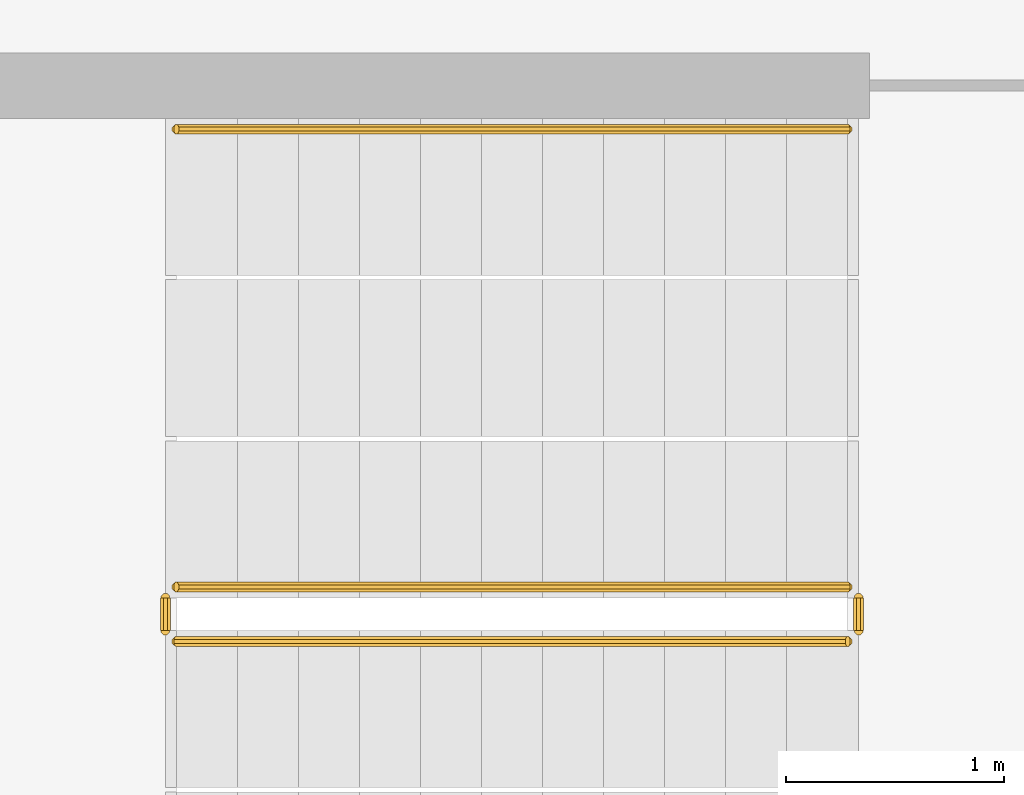
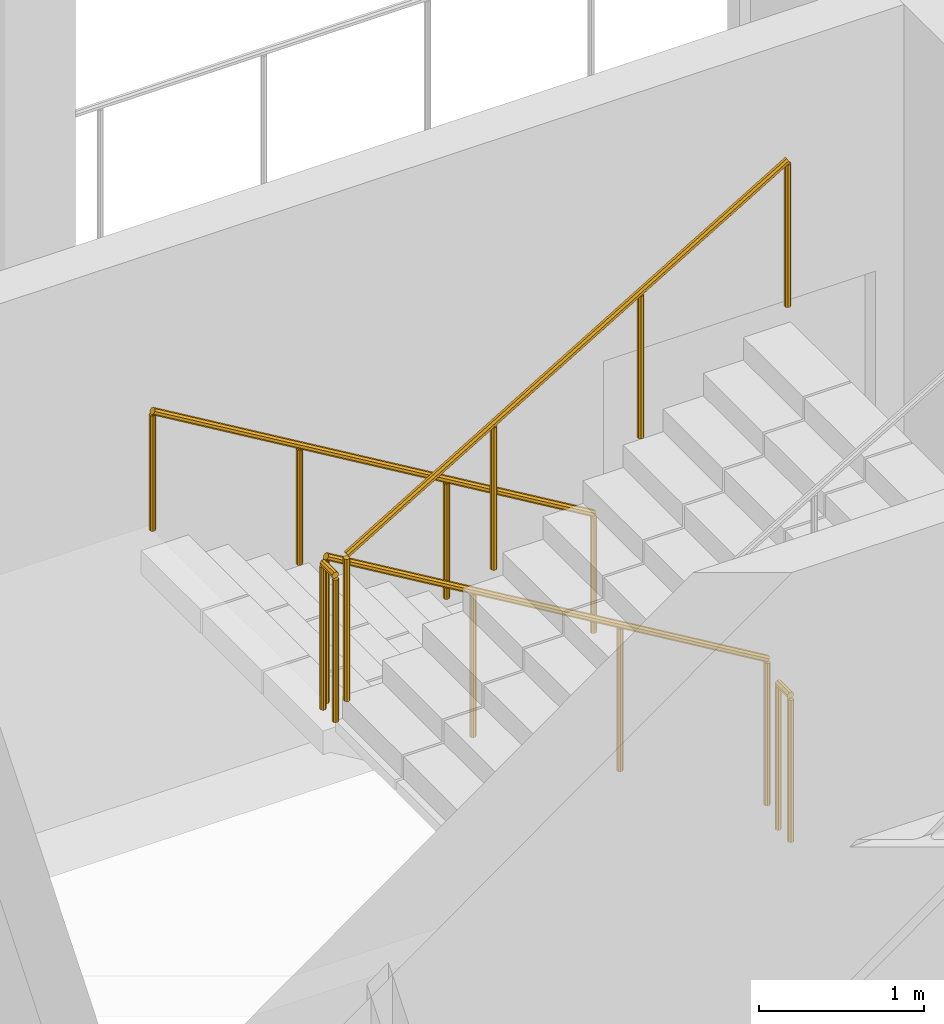
# One storey, part 20 of 28: 5 railings.
"""IFC4 building model written with IfcOpenShell, lengths in metres."""

from ifc_helpers import new_model, si_unit, direction, frame, origin, place, context, subcontext, project, spatial, polyline, outline, extrude, material, type_object, element, save


model = new_model("IFC4")

# Units and contexts
model_context = context("Model", 3, precision=1e-05, world=origin(), true_north=direction((0.0, 1.0)))
body_context = subcontext(model_context, "Body", "Model", "MODEL_VIEW")
ifc_project = project(units=[si_unit("LENGTHUNIT", "METRE"), si_unit("AREAUNIT", "SQUARE_METRE"), si_unit("VOLUMEUNIT", "CUBIC_METRE"), si_unit("PLANEANGLEUNIT", "RADIAN"), si_unit("MASSUNIT", "GRAM", prefix="KILO")], contexts=[model_context])

# Site, building, storey
site_placement = place(None, origin())
site = spatial("IfcSite", under=ifc_project, at=site_placement, CompositionType="ELEMENT")
building_placement = place(site_placement, origin())
building = spatial("IfcBuilding", under=site, at=building_placement, Name="Cormorant Relay Tower", CompositionType="ELEMENT")
storey_placement = place(building_placement, frame((0.0, 0.0, 122.199951171875)))
storey = spatial("IfcBuildingStorey", under=building, at=storey_placement, Name="L24", CompositionType="ELEMENT", Elevation=122.199951171875)

# Railings
ifc_material_1 = material(Name="Steel ASTM A572 Grade 50 (Fy 345 MPa)", Category="steel")
railing_type_1 = type_object("IfcRailingType", Name="Stair guard 1100", PredefinedType="GUARDRAIL", material=ifc_material_1)
railing_1_placement = place(storey_placement, frame((1.60009765625, -18.27490234375, 0.166748046875)))
element("IfcRailing", 1, at=railing_1_placement, inside=storey, type_object=railing_type_1, Name="L24 RK1 stair guard 1", PredefinedType="GUARDRAIL", context=body_context, shape_type="SweptSolid", body=[
    extrude(outline(polyline([(0.022216796875, 0.00927734375), (0.00927734375, 0.022216796875), (-0.00927734375, 0.022216796875), (-0.022216796875, 0.00927734375), (-0.022216796875, -0.00927734375), (-0.00927734375, -0.022216796875), (0.00927734375, -0.022216796875), (0.022216796875, -0.00927734375), (0.022216796875, 0.00927734375)])), frame((0.0, 0.0, 1.076171875), z_axis=(-0.859308565015, 0.0, 0.511457515432), x_axis=(0.0, -1.0, 0.0)), (0.0, 0.0, 1.0), 3.58447265625),
    extrude(outline(polyline([(0.019287109375, 0.008056640625), (0.008056640625, 0.019287109375), (-0.008056640625, 0.019287109375), (-0.019287109375, 0.008056640625), (-0.019287109375, -0.008056640625), (-0.008056640625, -0.019287109375), (0.008056640625, -0.019287109375), (0.019287109375, -0.008056640625), (0.019287109375, 0.008056640625)])), origin(), (0.0, 0.0, 1.0), 1.052001953125),
    extrude(outline(polyline([(0.019287109375, 0.008056640625), (0.008056640625, 0.019287109375), (-0.008056640625, 0.019287109375), (-0.019287109375, 0.008056640625), (-0.019287109375, -0.008056640625), (-0.008056640625, -0.019287109375), (0.008056640625, -0.019287109375), (0.019287109375, -0.008056640625), (0.019287109375, 0.008056640625)])), frame((-1.026611328125, 0.0, 0.611083984375)), (0.0, 0.0, 1.0), 1.052001953125),
    extrude(outline(polyline([(0.019287109375, 0.008056640625), (0.008056640625, 0.019287109375), (-0.008056640625, 0.019287109375), (-0.019287109375, 0.008056640625), (-0.019287109375, -0.008056640625), (-0.008056640625, -0.019287109375), (0.008056640625, -0.019287109375), (0.019287109375, -0.008056640625), (0.019287109375, 0.008056640625)])), frame((-2.053466796875, 0.0, 1.22216796875)), (0.0, 0.0, 1.0), 1.052001953125),
    extrude(outline(polyline([(0.019287109375, 0.008056640625), (0.008056640625, 0.019287109375), (-0.008056640625, 0.019287109375), (-0.019287109375, 0.008056640625), (-0.019287109375, -0.008056640625), (-0.008056640625, -0.019287109375), (0.008056640625, -0.019287109375), (0.019287109375, -0.008056640625), (0.019287109375, 0.008056640625)])), frame((-3.080078125, 0.0, 1.833251953125)), (0.0, 0.0, 1.0), 1.052001953125),
])
railing_2_placement = place(storey_placement, frame((-1.530029296875, -18.324951171875, 2.0)))
element("IfcRailing", 2, at=railing_2_placement, inside=storey, type_object=railing_type_1, Name="L24 RK1 stair guard 2", PredefinedType="GUARDRAIL", context=body_context, shape_type="SweptSolid", body=[
    extrude(outline(polyline([(0.022216796875, 0.00927734375), (0.00927734375, 0.022216796875), (-0.00927734375, 0.022216796875), (-0.022216796875, 0.00927734375), (-0.022216796875, -0.00927734375), (-0.00927734375, -0.022216796875), (0.00927734375, -0.022216796875), (0.022216796875, -0.00927734375), (0.022216796875, 0.00927734375)])), frame((0.0, 0.0, 1.076171875), z_axis=(0.0, -1.0, 0.0), x_axis=(1.0, 0.0, 0.0)), (0.0, 0.0, 1.0), 0.150146484375),
    extrude(outline(polyline([(0.019287109375, 0.008056640625), (0.008056640625, 0.019287109375), (-0.008056640625, 0.019287109375), (-0.019287109375, 0.008056640625), (-0.019287109375, -0.008056640625), (-0.008056640625, -0.019287109375), (0.008056640625, -0.019287109375), (0.019287109375, -0.008056640625), (0.019287109375, 0.008056640625)])), origin(), (0.0, 0.0, 1.0), 1.052001953125),
    extrude(outline(polyline([(0.019287109375, 0.008056640625), (0.008056640625, 0.019287109375), (-0.008056640625, 0.019287109375), (-0.019287109375, 0.008056640625), (-0.019287109375, -0.008056640625), (-0.008056640625, -0.019287109375), (0.008056640625, -0.019287109375), (0.019287109375, -0.008056640625), (0.019287109375, 0.008056640625)])), frame((0.0, -0.150146484375, 0.0)), (0.0, 0.0, 1.0), 1.052001953125),
])
railing_3_placement = place(storey_placement, frame((-1.47998046875, -18.52490234375, 2.166748046875)))
element("IfcRailing", 3, at=railing_3_placement, inside=storey, type_object=railing_type_1, Name="L24 RK1 stair guard 3", PredefinedType="GUARDRAIL", context=body_context, shape_type="SweptSolid", body=[
    extrude(outline(polyline([(0.022216796875, 0.00927734375), (0.00927734375, 0.022216796875), (-0.00927734375, 0.022216796875), (-0.022216796875, 0.00927734375), (-0.022216796875, -0.00927734375), (-0.00927734375, -0.022216796875), (0.00927734375, -0.022216796875), (0.022216796875, -0.00927734375), (0.022216796875, 0.00927734375)])), frame((0.0, 0.0, 1.076171875), z_axis=(0.859308565015, 0.0, 0.511457515432), x_axis=(0.0, 1.0, 0.0)), (0.0, 0.0, 1.0), 3.58447265625),
    extrude(outline(polyline([(0.019287109375, 0.008056640625), (0.008056640625, 0.019287109375), (-0.008056640625, 0.019287109375), (-0.019287109375, 0.008056640625), (-0.019287109375, -0.008056640625), (-0.008056640625, -0.019287109375), (0.008056640625, -0.019287109375), (0.019287109375, -0.008056640625), (0.019287109375, 0.008056640625)])), origin(), (0.0, 0.0, 1.0), 1.052001953125),
    extrude(outline(polyline([(0.019287109375, 0.008056640625), (0.008056640625, 0.019287109375), (-0.008056640625, 0.019287109375), (-0.019287109375, 0.008056640625), (-0.019287109375, -0.008056640625), (-0.008056640625, -0.019287109375), (0.008056640625, -0.019287109375), (0.019287109375, -0.008056640625), (0.019287109375, 0.008056640625)])), frame((1.026611328125, 0.0, 0.611083984375)), (0.0, 0.0, 1.0), 1.052001953125),
    extrude(outline(polyline([(0.019287109375, 0.008056640625), (0.008056640625, 0.019287109375), (-0.008056640625, 0.019287109375), (-0.019287109375, 0.008056640625), (-0.019287109375, -0.008056640625), (-0.008056640625, -0.019287109375), (0.008056640625, -0.019287109375), (0.019287109375, -0.008056640625), (0.019287109375, 0.008056640625)])), frame((2.053466796875, 0.0, 1.22216796875)), (0.0, 0.0, 1.0), 1.052001953125),
    extrude(outline(polyline([(0.019287109375, 0.008056640625), (0.008056640625, 0.019287109375), (-0.008056640625, 0.019287109375), (-0.019287109375, 0.008056640625), (-0.019287109375, -0.008056640625), (-0.008056640625, -0.019287109375), (0.008056640625, -0.019287109375), (0.019287109375, -0.008056640625), (0.019287109375, 0.008056640625)])), frame((3.080078125, 0.0, 1.833251953125)), (0.0, 0.0, 1.0), 1.052001953125),
])
railing_4_placement = place(storey_placement, frame((1.64990234375, -18.324951171875, 0.0)))
element("IfcRailing", 4, at=railing_4_placement, inside=storey, type_object=railing_type_1, Name="L24 RK1 stair guard 4", PredefinedType="GUARDRAIL", context=body_context, shape_type="SweptSolid", body=[
    extrude(outline(polyline([(0.022216796875, 0.00927734375), (0.00927734375, 0.022216796875), (-0.00927734375, 0.022216796875), (-0.022216796875, 0.00927734375), (-0.022216796875, -0.00927734375), (-0.00927734375, -0.022216796875), (0.00927734375, -0.022216796875), (0.022216796875, -0.00927734375), (0.022216796875, 0.00927734375)])), frame((0.0, 0.0, 1.076171875), z_axis=(0.0, -1.0, 0.0), x_axis=(1.0, 0.0, 0.0)), (0.0, 0.0, 1.0), 0.150146484375),
    extrude(outline(polyline([(0.019287109375, 0.008056640625), (0.008056640625, 0.019287109375), (-0.008056640625, 0.019287109375), (-0.019287109375, 0.008056640625), (-0.019287109375, -0.008056640625), (-0.008056640625, -0.019287109375), (0.008056640625, -0.019287109375), (0.019287109375, -0.008056640625), (0.019287109375, 0.008056640625)])), origin(), (0.0, 0.0, 1.0), 1.052001953125),
    extrude(outline(polyline([(0.019287109375, 0.008056640625), (0.008056640625, 0.019287109375), (-0.008056640625, 0.019287109375), (-0.019287109375, 0.008056640625), (-0.019287109375, -0.008056640625), (-0.008056640625, -0.019287109375), (0.008056640625, -0.019287109375), (0.019287109375, -0.008056640625), (0.019287109375, 0.008056640625)])), frame((0.0, -0.150146484375, 0.0)), (0.0, 0.0, 1.0), 1.052001953125),
])
ifc_material_2 = material(Name="Steel ASTM A572 Grade 50 (Fy 345 MPa)", Category="steel")
railing_type_2 = type_object("IfcRailingType", Name="Stair handrail 900", PredefinedType="HANDRAIL", material=ifc_material_2)
railing_5_placement = place(storey_placement, frame((1.60009765625, -16.175048828125, 0.166748046875)))
element("IfcRailing", 5, at=railing_5_placement, inside=storey, type_object=railing_type_2, Name="L24 RK1 stair handrail 1", PredefinedType="HANDRAIL", context=body_context, shape_type="SweptSolid", body=[
    extrude(outline(polyline([(0.022216796875, 0.00927734375), (0.00927734375, 0.022216796875), (-0.00927734375, 0.022216796875), (-0.022216796875, 0.00927734375), (-0.022216796875, -0.00927734375), (-0.00927734375, -0.022216796875), (0.00927734375, -0.022216796875), (0.022216796875, -0.00927734375), (0.022216796875, 0.00927734375)])), frame((0.0, 0.0, 0.8759765625), z_axis=(-0.859308565015, 0.0, 0.511457515432), x_axis=(0.0, -1.0, 0.0)), (0.0, 0.0, 1.0), 3.58447265625),
    extrude(outline(polyline([(0.019287109375, 0.008056640625), (0.008056640625, 0.019287109375), (-0.008056640625, 0.019287109375), (-0.019287109375, 0.008056640625), (-0.019287109375, -0.008056640625), (-0.008056640625, -0.019287109375), (0.008056640625, -0.019287109375), (0.019287109375, -0.008056640625), (0.019287109375, 0.008056640625)])), origin(), (0.0, 0.0, 1.0), 0.851806640625),
    extrude(outline(polyline([(0.019287109375, 0.008056640625), (0.008056640625, 0.019287109375), (-0.008056640625, 0.019287109375), (-0.019287109375, 0.008056640625), (-0.019287109375, -0.008056640625), (-0.008056640625, -0.019287109375), (0.008056640625, -0.019287109375), (0.019287109375, -0.008056640625), (0.019287109375, 0.008056640625)])), frame((-1.026611328125, 0.0, 0.611083984375)), (0.0, 0.0, 1.0), 0.851806640625),
    extrude(outline(polyline([(0.019287109375, 0.008056640625), (0.008056640625, 0.019287109375), (-0.008056640625, 0.019287109375), (-0.019287109375, 0.008056640625), (-0.019287109375, -0.008056640625), (-0.008056640625, -0.019287109375), (0.008056640625, -0.019287109375), (0.019287109375, -0.008056640625), (0.019287109375, 0.008056640625)])), frame((-2.053466796875, 0.0, 1.22216796875)), (0.0, 0.0, 1.0), 0.851806640625),
    extrude(outline(polyline([(0.019287109375, 0.008056640625), (0.008056640625, 0.019287109375), (-0.008056640625, 0.019287109375), (-0.019287109375, 0.008056640625), (-0.019287109375, -0.008056640625), (-0.008056640625, -0.019287109375), (0.008056640625, -0.019287109375), (0.019287109375, -0.008056640625), (0.019287109375, 0.008056640625)])), frame((-3.080078125, 0.0, 1.833251953125)), (0.0, 0.0, 1.0), 0.851806640625),
])

save(model, "model.ifc")
